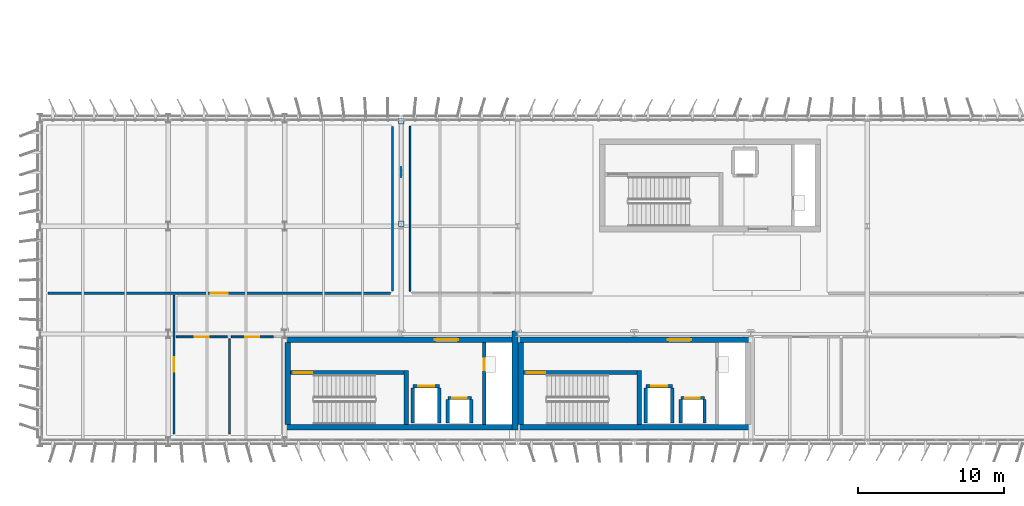
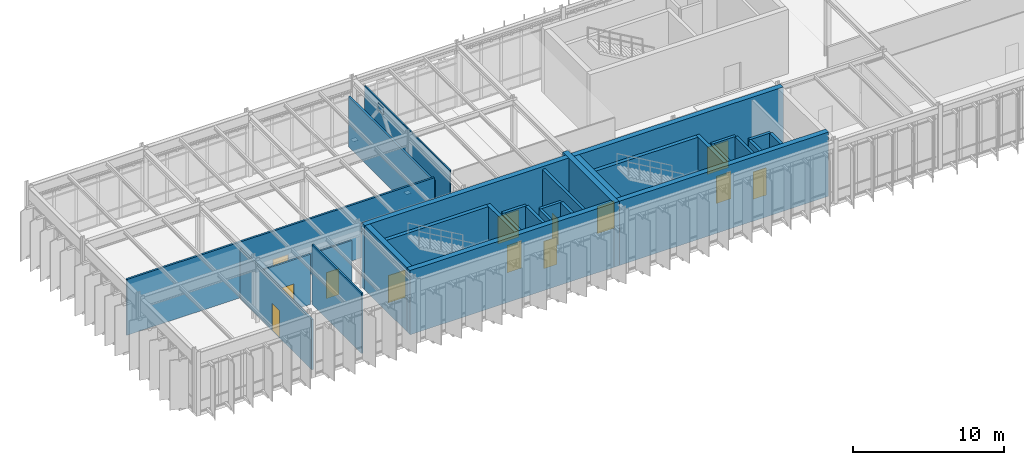
# One storey, part 34 of 48: 31 walls, 13 doors, 3 plates, 13 openings.
"""IFC4 building model written with IfcOpenShell, lengths in metres."""

from ifc_helpers import new_model, si_unit, direction, frame, frame_2d, origin, origin_2d, place, context, subcontext, project, spatial, rectangle, extrude, material, layer, layer_set, type_object, element, fill, save


model = new_model("IFC4")

# Units and contexts
model_context = context("Model", 3, precision=1e-05, world=origin(), true_north=direction((0.0, 1.0)))
body_context = subcontext(model_context, "Body", "Model", "MODEL_VIEW")
ifc_project = project(units=[si_unit("LENGTHUNIT", "METRE"), si_unit("AREAUNIT", "SQUARE_METRE"), si_unit("VOLUMEUNIT", "CUBIC_METRE"), si_unit("PLANEANGLEUNIT", "RADIAN"), si_unit("MASSUNIT", "GRAM", prefix="KILO")], contexts=[model_context])

# Site, building, storey
site_placement = place(None, origin())
site = spatial("IfcSite", under=ifc_project, at=site_placement, CompositionType="ELEMENT")
building_placement = place(site_placement, origin())
building = spatial("IfcBuilding", under=site, at=building_placement, Name="Valkorina Park Police Headquarters", CompositionType="ELEMENT")
storey_placement = place(building_placement, frame((0.0, 0.0, 18.10009765625)))
storey = spatial("IfcBuildingStorey", under=building, at=storey_placement, Name="L05", CompositionType="ELEMENT", Elevation=18.10009765625)

# Plates
ifc_material_1 = material(Name="Steel S355", Category="steel")
ifc_layer_1 = layer(ifc_material_1, 0.02001953125)
ifc_layer_set_1 = layer_set([ifc_layer_1], Name="Steel S355")
plate_type_1 = type_object("IfcPlateType", Name="PL-ENDCAP-20", PredefinedType="USERDEFINED", material=ifc_layer_set_1)
for number, where, z_axis, x_axis, name in (
    (1, (24.800048828125, 51.97998046875, 0.08984375), (0.0, 0.0, 1.0), (1.0, 0.0, 0.0), "Brace Base End Cap Plate 208"),
    (2, (24.800048828125, 59.02001953125, 0.08984375), (0.0, 0.0, 1.0), (1.0, 0.0, 0.0), "Brace Base End Cap Plate 209"),
):
    element("IfcPlate", number, at=place(storey_placement, frame(where, z_axis=z_axis, x_axis=x_axis)), inside=storey, type_object=plate_type_1, Name=name, ObjectType="END CAP PLATE", PredefinedType="USERDEFINED", context=body_context, shape_type="SweptSolid", body=[
        extrude(rectangle(XDim=0.3798828125, YDim=0.3798828125, at=origin_2d()), origin(), (0.0, 0.0, 1.0), 0.02001953125),
    ])
ifc_layer_2 = layer(ifc_material_1, 0.01611328125)
ifc_layer_set_2 = layer_set([ifc_layer_2], Name="Steel S355")
plate_type_2 = type_object("IfcPlateType", Name="PL-GUSSET-16", PredefinedType="USERDEFINED", material=ifc_layer_set_2)
plate_placement = place(storey_placement, frame((24.800048828125, 55.5, 4.48486328125), z_axis=(0.0, 0.0, 1.0), x_axis=(1.0, 0.0, 0.0)))
element("IfcPlate", 3, at=plate_placement, inside=storey, type_object=plate_type_2, Name="Chevron Apex Gusset Plate CBF-10 210", ObjectType="GUSSET PLATE", PredefinedType="USERDEFINED", context=body_context, shape_type="SweptSolid", body=[
    extrude(rectangle(XDim=0.01611328125, YDim=0.699951171875, at=origin_2d()), origin(), (0.0, 0.0, 1.0), 0.550048828125),
])

# Wall, opening, door
ifc_material_2 = material(Name="Acoustic mineral board")
ifc_layer_3 = layer(ifc_material_2, 0.14990234375)
ifc_layer_set_3 = layer_set([ifc_layer_3], Name="Acoustic mineral board")
wall_type_1 = type_object("IfcWallType", Name="WL-ACOUST-150-EI30", PredefinedType="PARTITIONING", material=ifc_layer_set_3)
wall_1_placement = place(storey_placement, frame((0.5400390625, 47.199951171875, 0.0), z_axis=(0.0, 0.0, 1.0), x_axis=(1.0, 0.0, 0.0)))
wall_1 = element("IfcWall", 4, at=wall_1_placement, inside=storey, type_object=wall_type_1, Name="L05 Interior Partition 0225 (L05-CYB-01)", PredefinedType="PARTITIONING", context=body_context, shape_type="SweptSolid", body=[
    extrude(rectangle(XDim=23.52001953125, YDim=0.14990234375, at=frame_2d((11.760009765625, 0.0))), origin(), (0.0, 0.0, 1.0), 4.510009765625),
])
opening_1_placement = place(wall_1_placement, frame((11.159912109375, 0.0, 0.0)))
opening_1 = element("IfcOpeningElement", 5, at=opening_1_placement, cuts=wall_1, Name="Opening ID-06", PredefinedType="OPENING", context=body_context, shape_type="SweptSolid", body=[
    extrude(rectangle(XDim=1.199951171875, YDim=2.199951171875, at=frame_2d((0.60009765625, 1.10009765625))), frame((0.0, 0.0849609375, 0.0), z_axis=(0.0, -1.0, 0.0), x_axis=(1.0, 0.0, 0.0)), (0.0, 0.0, 1.0), 0.169921875),
])
ifc_material_3 = material(Name="Thermally broken aluminium AW-6060", Category="aluminium")
ifc_layer_4 = layer(ifc_material_3, 0.050048828125)
ifc_layer_set_4 = layer_set([ifc_layer_4], Name="Thermally broken aluminium AW-6060")
door_type_1 = type_object("IfcDoorType", Name="DR-INT-LAB-1200x2200", OperationType="NOTDEFINED", PredefinedType="DOOR", material=ifc_layer_set_4)
door_1_placement = place(opening_1_placement, origin())
door_1 = element("IfcDoor", 6, at=door_1_placement, inside=storey, type_object=door_type_1, Name="Door D-L05-I106 (L05-CYB-01)", OperationType="SINGLE_SWING_LEFT", OverallHeight=2.199951171875, OverallWidth=1.199951171875, PredefinedType="DOOR", context=body_context, shape_type="SweptSolid", body=[
    extrude(rectangle(XDim=1.199951171875, YDim=2.199951171875, at=frame_2d((0.60009765625, 1.10009765625))), frame((0.0, 0.02490234375, 0.0), z_axis=(0.0, -1.0, 0.0), x_axis=(1.0, 0.0, 0.0)), (0.0, 0.0, 1.0), 0.050048828125),
])
fill(opening_1, door_1)

# Wall
wall_2_placement = place(storey_placement, frame((24.199951171875, 47.340087890625, 0.0), z_axis=(0.0, 0.0, 1.0), x_axis=(0.0, 1.0, 0.0)))
element("IfcWall", 7, at=wall_2_placement, inside=storey, type_object=wall_type_1, Name="L05 Interior Partition 0226 (L05-CYB-01)", PredefinedType="PARTITIONING", context=body_context, shape_type="SweptSolid", body=[
    extrude(rectangle(XDim=11.31982421875, YDim=0.14990234375, at=frame_2d((5.659912109375, 0.0))), origin(), (0.0, 0.0, 1.0), 4.059814453125),
])

# Wall, opening, door
ifc_material_4 = material(Name="Autoclaved aerated concrete masonry", Category="masonry")
ifc_layer_5 = layer(ifc_material_4, 0.219970703125)
ifc_layer_set_5 = layer_set([ifc_layer_5], Name="Autoclaved aerated concrete masonry")
wall_type_2 = type_object("IfcWallType", Name="WL-CHASE-220-EI60", PredefinedType="PLUMBINGWALL", material=ifc_layer_set_5)
wall_3_placement = place(storey_placement, frame((25.590087890625, 40.81005859375, 0.0), z_axis=(0.0, 0.0, 1.0), x_axis=(1.0, 0.0, 0.0)))
wall_3 = element("IfcWall", 8, at=wall_3_placement, inside=storey, type_object=wall_type_2, Name="Lift LF-01 L05 Shaft Front Wall", PredefinedType="PLUMBINGWALL", context=body_context, shape_type="SweptSolid", body=[
    extrude(rectangle(XDim=1.81982421875, YDim=0.219970703125, at=frame_2d((0.909912109375, 0.0))), origin(), (0.0, 0.0, 1.0), 4.97998046875),
])
opening_2_placement = place(wall_3_placement, frame((0.360107421875, 0.0, 0.0)))
opening_2 = element("IfcOpeningElement", 9, at=opening_2_placement, cuts=wall_3, Name="Opening LD-01", PredefinedType="OPENING", context=body_context, shape_type="SweptSolid", body=[
    extrude(rectangle(XDim=1.10009765625, YDim=2.199951171875, at=frame_2d((0.550048828125, 1.10009765625))), frame((0.0, 0.1201171875, 0.0), z_axis=(0.0, -1.0, 0.0), x_axis=(1.0, 0.0, 0.0)), (0.0, 0.0, 1.0), 0.239990234375),
])
ifc_material_5 = material(Name="Stainless steel EN 1.4404", Category="steel")
ifc_layer_6 = layer(ifc_material_5, 0.050048828125)
ifc_layer_set_6 = layer_set([ifc_layer_6], Name="Stainless steel EN 1.4404")
door_type_2 = type_object("IfcDoorType", Name="DR-LIFT-FF-1100x2200", OperationType="NOTDEFINED", PredefinedType="DOOR", material=ifc_layer_set_6)
door_2_placement = place(opening_2_placement, origin())
door_2 = element("IfcDoor", 10, at=door_2_placement, inside=storey, type_object=door_type_2, Name="Lift Landing Door LF-01-L05", OperationType="DOUBLE_DOOR_SLIDING", OverallHeight=2.199951171875, OverallWidth=1.10009765625, PredefinedType="DOOR", context=body_context, shape_type="SweptSolid", body=[
    extrude(rectangle(XDim=1.10009765625, YDim=2.199951171875, at=frame_2d((0.550048828125, 1.10009765625))), frame((0.0, 0.02490234375, 0.0), z_axis=(0.0, -1.0, 0.0), x_axis=(1.0, 0.0, 0.0)), (0.0, 0.0, 1.0), 0.050048828125),
])
fill(opening_2, door_2)

# Walls
for number, where, z_axis, x_axis, name in (
    (11, (25.590087890625, 38.300048828125, 0.0), (0.0, 0.0, 1.0), (0.0, 1.0, 0.0), "Lift LF-01 L05 Shaft Side Wall W"),
    (12, (27.409912109375, 38.300048828125, 0.0), (0.0, 0.0, 1.0), (0.0, 1.0, 0.0), "Lift LF-01 L05 Shaft Side Wall E"),
):
    element("IfcWall", number, at=place(storey_placement, frame(where, z_axis=z_axis, x_axis=x_axis)), inside=storey, type_object=wall_type_2, Name=name, PredefinedType="PLUMBINGWALL", context=body_context, shape_type="SweptSolid", body=[
        extrude(rectangle(XDim=2.39990234375, YDim=0.219970703125, at=frame_2d((1.199951171875, 0.0))), origin(), (0.0, 0.0, 1.0), 4.97998046875),
    ])

# Wall, opening, door
wall_4_placement = place(storey_placement, frame((27.989990234375, 40.010009765625, 0.0), z_axis=(0.0, 0.0, 1.0), x_axis=(1.0, 0.0, 0.0)))
wall_4 = element("IfcWall", 13, at=wall_4_placement, inside=storey, type_object=wall_type_2, Name="Lift LF-03 L05 Shaft Front Wall", PredefinedType="PLUMBINGWALL", context=body_context, shape_type="SweptSolid", body=[
    extrude(rectangle(XDim=1.6201171875, YDim=0.219970703125, at=frame_2d((0.81005859375, 0.0))), origin(), (0.0, 0.0, 1.0), 4.97998046875),
])
opening_3_placement = place(wall_4_placement, frame((0.31005859375, 0.0, 0.0)))
opening_3 = element("IfcOpeningElement", 14, at=opening_3_placement, cuts=wall_4, Name="Opening LD-02", PredefinedType="OPENING", context=body_context, shape_type="SweptSolid", body=[
    extrude(rectangle(XDim=1.0, YDim=2.199951171875, at=frame_2d((0.5, 1.10009765625))), frame((0.0, 0.1201171875, 0.0), z_axis=(0.0, -1.0, 0.0), x_axis=(1.0, 0.0, 0.0)), (0.0, 0.0, 1.0), 0.239990234375),
])
ifc_layer_7 = layer(ifc_material_5, 0.050048828125)
ifc_layer_set_7 = layer_set([ifc_layer_7], Name="Stainless steel EN 1.4404")
door_type_3 = type_object("IfcDoorType", Name="DR-LIFT-PAX-1000x2200", OperationType="NOTDEFINED", PredefinedType="DOOR", material=ifc_layer_set_7)
door_3_placement = place(opening_3_placement, origin())
door_3 = element("IfcDoor", 15, at=door_3_placement, inside=storey, type_object=door_type_3, Name="Lift Landing Door LF-03-L05", OperationType="DOUBLE_DOOR_SLIDING", OverallHeight=2.199951171875, OverallWidth=1.0, PredefinedType="DOOR", context=body_context, shape_type="SweptSolid", body=[
    extrude(rectangle(XDim=1.0, YDim=2.199951171875, at=frame_2d((0.5, 1.10009765625))), frame((0.0, 0.02490234375, 0.0), z_axis=(0.0, -1.0, 0.0), x_axis=(1.0, 0.0, 0.0)), (0.0, 0.0, 1.0), 0.050048828125),
])
fill(opening_3, door_3)

# Walls
for number, where, z_axis, x_axis, name in (
    (16, (27.989990234375, 38.300048828125, 0.0), (0.0, 0.0, 1.0), (0.0, 1.0, 0.0), "Lift LF-03 L05 Shaft Side Wall W"),
    (17, (29.610107421875, 38.300048828125, 0.0), (0.0, 0.0, 1.0), (0.0, 1.0, 0.0), "Lift LF-03 L05 Shaft Side Wall E"),
):
    element("IfcWall", number, at=place(storey_placement, frame(where, z_axis=z_axis, x_axis=x_axis)), inside=storey, type_object=wall_type_2, Name=name, PredefinedType="PLUMBINGWALL", context=body_context, shape_type="SweptSolid", body=[
        extrude(rectangle(XDim=1.599853515625, YDim=0.219970703125, at=frame_2d((0.7998046875, 0.0))), origin(), (0.0, 0.0, 1.0), 4.97998046875),
    ])

# Wall, opening, door
wall_5_placement = place(storey_placement, frame((30.489990234375, 38.199951171875, 0.0), z_axis=(0.0, 0.0, 1.0), x_axis=(0.0, 1.0, 0.0)))
wall_5 = element("IfcWall", 18, at=wall_5_placement, inside=storey, type_object=wall_type_2, Name="Core C1 L05 Riser Shaft West Wall", PredefinedType="PLUMBINGWALL", context=body_context, shape_type="SweptSolid", body=[
    extrude(rectangle(XDim=5.60009765625, YDim=0.219970703125, at=frame_2d((2.800048828125, 0.0))), origin(), (0.0, 0.0, 1.0), 4.97998046875),
])
opening_4_placement = place(wall_5_placement, frame((3.699951171875, 0.0, 0.0)))
opening_4 = element("IfcOpeningElement", 19, at=opening_4_placement, cuts=wall_5, Name="Opening ID-01", PredefinedType="OPENING", context=body_context, shape_type="SweptSolid", body=[
    extrude(rectangle(XDim=0.800048828125, YDim=2.10009765625, at=frame_2d((0.39990234375, 1.050048828125))), frame((0.0, 0.1201171875, 0.0), z_axis=(0.0, -1.0, 0.0), x_axis=(1.0, 0.0, 0.0)), (0.0, 0.0, 1.0), 0.239990234375),
])
ifc_material_6 = material(Name="Galvanized steel door leaf", Category="steel")
ifc_layer_8 = layer(ifc_material_6, 0.050048828125)
ifc_layer_set_8 = layer_set([ifc_layer_8], Name="Galvanized steel door leaf")
door_type_4 = type_object("IfcDoorType", Name="DR-INT-RISER-800x2100", OperationType="NOTDEFINED", PredefinedType="DOOR", material=ifc_layer_set_8)
door_4_placement = place(opening_4_placement, origin())
door_4 = element("IfcDoor", 20, at=door_4_placement, inside=storey, type_object=door_type_4, Name="Riser Shaft Access Door C1-L05", OperationType="SINGLE_SWING_RIGHT", OverallHeight=2.10009765625, OverallWidth=0.800048828125, PredefinedType="DOOR", context=body_context, shape_type="SweptSolid", body=[
    extrude(rectangle(XDim=0.800048828125, YDim=2.10009765625, at=frame_2d((0.39990234375, 1.050048828125))), frame((0.0, 0.02490234375, 0.0), z_axis=(0.0, -1.0, 0.0), x_axis=(1.0, 0.0, 0.0)), (0.0, 0.0, 1.0), 0.050048828125),
])
fill(opening_4, door_4)

wall_6_placement = place(storey_placement, frame((41.590087890625, 40.81005859375, 0.0), z_axis=(0.0, 0.0, 1.0), x_axis=(1.0, 0.0, 0.0)))
wall_6 = element("IfcWall", 21, at=wall_6_placement, inside=storey, type_object=wall_type_2, Name="Lift LF-02 L05 Shaft Front Wall", PredefinedType="PLUMBINGWALL", context=body_context, shape_type="SweptSolid", body=[
    extrude(rectangle(XDim=1.81982421875, YDim=0.219970703125, at=frame_2d((0.909912109375, 0.0))), origin(), (0.0, 0.0, 1.0), 4.97998046875),
])
opening_5_placement = place(wall_6_placement, frame((0.360107421875, 0.0, 0.0)))
opening_5 = element("IfcOpeningElement", 22, at=opening_5_placement, cuts=wall_6, Name="Opening LD-01", PredefinedType="OPENING", context=body_context, shape_type="SweptSolid", body=[
    extrude(rectangle(XDim=1.10009765625, YDim=2.199951171875, at=frame_2d((0.550048828125, 1.10009765625))), frame((0.0, 0.1201171875, 0.0), z_axis=(0.0, -1.0, 0.0), x_axis=(1.0, 0.0, 0.0)), (0.0, 0.0, 1.0), 0.239990234375),
])
door_5_placement = place(opening_5_placement, origin())
door_5 = element("IfcDoor", 23, at=door_5_placement, inside=storey, type_object=door_type_2, Name="Lift Landing Door LF-02-L05", OperationType="DOUBLE_DOOR_SLIDING", OverallHeight=2.199951171875, OverallWidth=1.10009765625, PredefinedType="DOOR", context=body_context, shape_type="SweptSolid", body=[
    extrude(rectangle(XDim=1.10009765625, YDim=2.199951171875, at=frame_2d((0.550048828125, 1.10009765625))), frame((0.0, 0.02490234375, 0.0), z_axis=(0.0, -1.0, 0.0), x_axis=(1.0, 0.0, 0.0)), (0.0, 0.0, 1.0), 0.050048828125),
])
fill(opening_5, door_5)

# Walls
for number, where, z_axis, x_axis, name in (
    (24, (41.590087890625, 38.300048828125, 0.0), (0.0, 0.0, 1.0), (0.0, 1.0, 0.0), "Lift LF-02 L05 Shaft Side Wall W"),
    (25, (43.409912109375, 38.300048828125, 0.0), (0.0, 0.0, 1.0), (0.0, 1.0, 0.0), "Lift LF-02 L05 Shaft Side Wall E"),
):
    element("IfcWall", number, at=place(storey_placement, frame(where, z_axis=z_axis, x_axis=x_axis)), inside=storey, type_object=wall_type_2, Name=name, PredefinedType="PLUMBINGWALL", context=body_context, shape_type="SweptSolid", body=[
        extrude(rectangle(XDim=2.39990234375, YDim=0.219970703125, at=frame_2d((1.199951171875, 0.0))), origin(), (0.0, 0.0, 1.0), 4.97998046875),
    ])

# Wall, opening, door
wall_7_placement = place(storey_placement, frame((43.989990234375, 40.010009765625, 0.0), z_axis=(0.0, 0.0, 1.0), x_axis=(1.0, 0.0, 0.0)))
wall_7 = element("IfcWall", 26, at=wall_7_placement, inside=storey, type_object=wall_type_2, Name="Lift LF-04 L05 Shaft Front Wall", PredefinedType="PLUMBINGWALL", context=body_context, shape_type="SweptSolid", body=[
    extrude(rectangle(XDim=1.6201171875, YDim=0.219970703125, at=frame_2d((0.81005859375, 0.0))), origin(), (0.0, 0.0, 1.0), 4.97998046875),
])
opening_6_placement = place(wall_7_placement, frame((0.31005859375, 0.0, 0.0)))
opening_6 = element("IfcOpeningElement", 27, at=opening_6_placement, cuts=wall_7, Name="Opening LD-02", PredefinedType="OPENING", context=body_context, shape_type="SweptSolid", body=[
    extrude(rectangle(XDim=1.0, YDim=2.199951171875, at=frame_2d((0.5, 1.10009765625))), frame((0.0, 0.1201171875, 0.0), z_axis=(0.0, -1.0, 0.0), x_axis=(1.0, 0.0, 0.0)), (0.0, 0.0, 1.0), 0.239990234375),
])
door_6_placement = place(opening_6_placement, origin())
door_6 = element("IfcDoor", 28, at=door_6_placement, inside=storey, type_object=door_type_3, Name="Lift Landing Door LF-04-L05", OperationType="DOUBLE_DOOR_SLIDING", OverallHeight=2.199951171875, OverallWidth=1.0, PredefinedType="DOOR", context=body_context, shape_type="SweptSolid", body=[
    extrude(rectangle(XDim=1.0, YDim=2.199951171875, at=frame_2d((0.5, 1.10009765625))), frame((0.0, 0.02490234375, 0.0), z_axis=(0.0, -1.0, 0.0), x_axis=(1.0, 0.0, 0.0)), (0.0, 0.0, 1.0), 0.050048828125),
])
fill(opening_6, door_6)

# Walls
for number, where, z_axis, x_axis, name in (
    (29, (43.989990234375, 38.300048828125, 0.0), (0.0, 0.0, 1.0), (0.0, 1.0, 0.0), "Lift LF-04 L05 Shaft Side Wall W"),
    (30, (45.610107421875, 38.300048828125, 0.0), (0.0, 0.0, 1.0), (0.0, 1.0, 0.0), "Lift LF-04 L05 Shaft Side Wall E"),
):
    element("IfcWall", number, at=place(storey_placement, frame(where, z_axis=z_axis, x_axis=x_axis)), inside=storey, type_object=wall_type_2, Name=name, PredefinedType="PLUMBINGWALL", context=body_context, shape_type="SweptSolid", body=[
        extrude(rectangle(XDim=1.599853515625, YDim=0.219970703125, at=frame_2d((0.7998046875, 0.0))), origin(), (0.0, 0.0, 1.0), 4.97998046875),
    ])
ifc_material_7 = material(Name="Concrete C40/50", Category="concrete")
ifc_layer_9 = layer(ifc_material_7, 0.39990234375)
ifc_layer_set_9 = layer_set([ifc_layer_9], Name="Concrete C40/50")
wall_type_3 = type_object("IfcWallType", Name="WL-CORE-400-REI180", PredefinedType="SHEAR", material=ifc_layer_set_9)
wall_8_placement = place(storey_placement, frame((16.800048828125, 38.0, 0.0), z_axis=(0.0, 0.0, 1.0), x_axis=(1.0, 0.0, 0.0)))
element("IfcWall", 31, at=wall_8_placement, inside=storey, type_object=wall_type_3, Name="Core C1 L05 Shear Wall S", PredefinedType="SHEAR", context=body_context, shape_type="SweptSolid", body=[
    extrude(rectangle(XDim=16.39990234375, YDim=0.39990234375, at=frame_2d((8.199951171875, 0.0))), origin(), (0.0, 0.0, 1.0), 5.19482421875),
])

# Wall, opening, door
wall_9_placement = place(storey_placement, frame((16.800048828125, 44.0, 0.0), z_axis=(0.0, 0.0, 1.0), x_axis=(1.0, 0.0, 0.0)))
wall_9 = element("IfcWall", 32, at=wall_9_placement, inside=storey, type_object=wall_type_3, Name="Core C1 L05 Shear Wall N", PredefinedType="SHEAR", context=body_context, shape_type="SweptSolid", body=[
    extrude(rectangle(XDim=16.39990234375, YDim=0.39990234375, at=frame_2d((8.199951171875, 0.0))), origin(), (0.0, 0.0, 1.0), 5.19482421875),
])
opening_7_placement = place(wall_9_placement, frame((10.300048828125, 0.0, 0.0)))
opening_7 = element("IfcOpeningElement", 33, at=opening_7_placement, cuts=wall_9, Name="Opening FD-04", PredefinedType="OPENING", context=body_context, shape_type="SweptSolid", body=[
    extrude(rectangle(XDim=1.60009765625, YDim=2.199951171875, at=frame_2d((0.800048828125, 1.10009765625))), frame((0.0, 0.2099609375, 0.0), z_axis=(0.0, -1.0, 0.0), x_axis=(1.0, 0.0, 0.0)), (0.0, 0.0, 1.0), 0.419921875),
])
ifc_layer_10 = layer(ifc_material_6, 0.050048828125)
ifc_layer_set_10 = layer_set([ifc_layer_10], Name="Galvanized steel door leaf")
door_type_5 = type_object("IfcDoorType", Name="DR-FIRE-FFL-1600x2200", OperationType="NOTDEFINED", PredefinedType="DOOR", material=ifc_layer_set_10)
door_7_placement = place(opening_7_placement, origin())
door_7 = element("IfcDoor", 34, at=door_7_placement, inside=storey, type_object=door_type_5, Name="Door D-L05-FFL-C1 (Firefighting Lift Lobby Door)", OperationType="DOUBLE_DOOR_SINGLE_SWING", OverallHeight=2.199951171875, OverallWidth=1.60009765625, PredefinedType="DOOR", context=body_context, shape_type="SweptSolid", body=[
    extrude(rectangle(XDim=1.60009765625, YDim=2.199951171875, at=frame_2d((0.800048828125, 1.10009765625))), frame((0.0, 0.02490234375, 0.0), z_axis=(0.0, -1.0, 0.0), x_axis=(1.0, 0.0, 0.0)), (0.0, 0.0, 1.0), 0.050048828125),
])
fill(opening_7, door_7)

# Walls
wall_10_placement = place(storey_placement, frame((17.0, 38.199951171875, 0.0), z_axis=(0.0, 0.0, 1.0), x_axis=(0.0, 1.0, 0.0)))
element("IfcWall", 35, at=wall_10_placement, inside=storey, type_object=wall_type_3, Name="Core C1 L05 Shear Wall W", PredefinedType="SHEAR", context=body_context, shape_type="SweptSolid", body=[
    extrude(rectangle(XDim=5.60009765625, YDim=0.39990234375, at=frame_2d((2.800048828125, 0.0))), origin(), (0.0, 0.0, 1.0), 5.19482421875),
])
wall_11_placement = place(storey_placement, frame((32.60009765625, 37.800048828125, 0.0), z_axis=(0.0, 0.0, 1.0), x_axis=(0.0, 1.0, 0.0)))
element("IfcWall", 36, at=wall_11_placement, inside=storey, type_object=wall_type_3, Name="Core C1 L05 Shear Wall E", PredefinedType="SHEAR", context=body_context, shape_type="SweptSolid", body=[
    extrude(rectangle(XDim=6.800048828125, YDim=0.39990234375, at=frame_2d((3.39990234375, 0.0))), origin(), (0.0, 0.0, 1.0), 5.19482421875),
])
wall_12_placement = place(storey_placement, frame((32.800048828125, 38.0, 0.0), z_axis=(0.0, 0.0, 1.0), x_axis=(1.0, 0.0, 0.0)))
element("IfcWall", 37, at=wall_12_placement, inside=storey, type_object=wall_type_3, Name="Core C2 L05 Shear Wall S", PredefinedType="SHEAR", context=body_context, shape_type="SweptSolid", body=[
    extrude(rectangle(XDim=16.0, YDim=0.39990234375, at=frame_2d((8.0, 0.0))), origin(), (0.0, 0.0, 1.0), 5.19482421875),
])

# Wall, opening, door
wall_13_placement = place(storey_placement, frame((32.800048828125, 44.0, 0.0), z_axis=(0.0, 0.0, 1.0), x_axis=(1.0, 0.0, 0.0)))
wall_13 = element("IfcWall", 38, at=wall_13_placement, inside=storey, type_object=wall_type_3, Name="Core C2 L05 Shear Wall N", PredefinedType="SHEAR", context=body_context, shape_type="SweptSolid", body=[
    extrude(rectangle(XDim=16.0, YDim=0.39990234375, at=frame_2d((8.0, 0.0))), origin(), (0.0, 0.0, 1.0), 5.19482421875),
])
opening_8_placement = place(wall_13_placement, frame((10.300048828125, 0.0, 0.0)))
opening_8 = element("IfcOpeningElement", 39, at=opening_8_placement, cuts=wall_13, Name="Opening FD-04", PredefinedType="OPENING", context=body_context, shape_type="SweptSolid", body=[
    extrude(rectangle(XDim=1.60009765625, YDim=2.199951171875, at=frame_2d((0.800048828125, 1.10009765625))), frame((0.0, 0.2099609375, 0.0), z_axis=(0.0, -1.0, 0.0), x_axis=(1.0, 0.0, 0.0)), (0.0, 0.0, 1.0), 0.419921875),
])
door_8_placement = place(opening_8_placement, origin())
door_8 = element("IfcDoor", 40, at=door_8_placement, inside=storey, type_object=door_type_5, Name="Door D-L05-FFL-C2 (Firefighting Lift Lobby Door)", OperationType="DOUBLE_DOOR_SINGLE_SWING", OverallHeight=2.199951171875, OverallWidth=1.60009765625, PredefinedType="DOOR", context=body_context, shape_type="SweptSolid", body=[
    extrude(rectangle(XDim=1.60009765625, YDim=2.199951171875, at=frame_2d((0.800048828125, 1.10009765625))), frame((0.0, 0.02490234375, 0.0), z_axis=(0.0, -1.0, 0.0), x_axis=(1.0, 0.0, 0.0)), (0.0, 0.0, 1.0), 0.050048828125),
])
fill(opening_8, door_8)

# Walls
wall_14_placement = place(storey_placement, frame((33.0, 38.199951171875, 0.0), z_axis=(0.0, 0.0, 1.0), x_axis=(0.0, 1.0, 0.0)))
element("IfcWall", 41, at=wall_14_placement, inside=storey, type_object=wall_type_3, Name="Core C2 L05 Shear Wall W", PredefinedType="SHEAR", context=body_context, shape_type="SweptSolid", body=[
    extrude(rectangle(XDim=5.60009765625, YDim=0.39990234375, at=frame_2d((2.800048828125, 0.0))), origin(), (0.0, 0.0, 1.0), 5.19482421875),
])
ifc_material_8 = material(Name="Gypsum plasterboard")
ifc_layer_11 = layer(ifc_material_8, 0.10009765625)
ifc_layer_set_11 = layer_set([ifc_layer_11], Name="Gypsum plasterboard")
wall_type_4 = type_object("IfcWallType", Name="WL-PART-100", PredefinedType="PARTITIONING", material=ifc_layer_set_11)
wall_15_placement = place(storey_placement, frame((25.39990234375, 47.340087890625, 0.0), z_axis=(0.0, 0.0, 1.0), x_axis=(0.0, 1.0, 0.0)))
element("IfcWall", 42, at=wall_15_placement, inside=storey, type_object=wall_type_4, Name="L05 Interior Partition 0234 (L05-CYB-03)", PredefinedType="PARTITIONING", context=body_context, shape_type="SweptSolid", body=[
    extrude(rectangle(XDim=11.31982421875, YDim=0.10009765625, at=frame_2d((5.659912109375, 0.0))), origin(), (0.0, 0.0, 1.0), 4.510009765625),
])

# Wall, opening, door
ifc_layer_12 = layer(ifc_material_8, 0.125)
ifc_layer_set_12 = layer_set([ifc_layer_12], Name="Gypsum plasterboard")
wall_type_5 = type_object("IfcWallType", Name="WL-PART-125-EI30", PredefinedType="PARTITIONING", material=ifc_layer_set_12)
wall_16_placement = place(storey_placement, frame((9.199951171875, 37.5400390625, 0.0), z_axis=(0.0, 0.0, 1.0), x_axis=(0.0, 1.0, 0.0)))
wall_16 = element("IfcWall", 43, at=wall_16_placement, inside=storey, type_object=wall_type_5, Name="L05 Interior Partition 0227 (L05-CYB-02)", PredefinedType="PARTITIONING", context=body_context, shape_type="SweptSolid", body=[
    extrude(rectangle(XDim=9.52001953125, YDim=0.125, at=frame_2d((4.760009765625, 0.0))), origin(), (0.0, 0.0, 1.0), 4.059814453125),
])
opening_9_placement = place(wall_16_placement, frame((4.260009765625, 0.0, 0.0)))
opening_9 = element("IfcOpeningElement", 44, at=opening_9_placement, cuts=wall_16, Name="Opening ID-04", PredefinedType="OPENING", context=body_context, shape_type="SweptSolid", body=[
    extrude(rectangle(XDim=1.0, YDim=2.199951171875, at=frame_2d((0.5, 1.10009765625))), frame((0.0, 0.072509765625, 0.0), z_axis=(0.0, -1.0, 0.0), x_axis=(1.0, 0.0, 0.0)), (0.0, 0.0, 1.0), 0.14501953125),
])
ifc_layer_13 = layer(ifc_material_3, 0.050048828125)
ifc_layer_set_13 = layer_set([ifc_layer_13], Name="Thermally broken aluminium AW-6060")
door_type_6 = type_object("IfcDoorType", Name="DR-INT-OFF-1000x2200", OperationType="NOTDEFINED", PredefinedType="DOOR", material=ifc_layer_set_13)
door_9_placement = place(opening_9_placement, origin())
door_9 = element("IfcDoor", 45, at=door_9_placement, inside=storey, type_object=door_type_6, Name="Door D-L05-I107 (L05-CYB-02)", OperationType="SINGLE_SWING_RIGHT", OverallHeight=2.199951171875, OverallWidth=1.0, PredefinedType="DOOR", context=body_context, shape_type="SweptSolid", body=[
    extrude(rectangle(XDim=1.0, YDim=2.199951171875, at=frame_2d((0.5, 1.10009765625))), frame((0.0, 0.02490234375, 0.0), z_axis=(0.0, -1.0, 0.0), x_axis=(1.0, 0.0, 0.0)), (0.0, 0.0, 1.0), 0.050048828125),
])
fill(opening_9, door_9)

wall_17_placement = place(storey_placement, frame((9.340087890625, 44.199951171875, 0.0), z_axis=(0.0, 0.0, 1.0), x_axis=(1.0, 0.0, 0.0)))
wall_17 = element("IfcWall", 46, at=wall_17_placement, inside=storey, type_object=wall_type_5, Name="L05 Interior Partition 0228 (L05-WC-M)", PredefinedType="PARTITIONING", context=body_context, shape_type="SweptSolid", body=[
    extrude(rectangle(XDim=3.52001953125, YDim=0.125, at=frame_2d((1.760009765625, 0.0))), origin(), (0.0, 0.0, 1.0), 4.059814453125),
])
opening_10_placement = place(wall_17_placement, frame((1.284912109375, 0.0, 0.0)))
opening_10 = element("IfcOpeningElement", 47, at=opening_10_placement, cuts=wall_17, Name="Opening ID-02", PredefinedType="OPENING", context=body_context, shape_type="SweptSolid", body=[
    extrude(rectangle(XDim=0.949951171875, YDim=2.10009765625, at=frame_2d((0.47509765625, 1.050048828125))), frame((0.0, 0.072509765625, 0.0), z_axis=(0.0, -1.0, 0.0), x_axis=(1.0, 0.0, 0.0)), (0.0, 0.0, 1.0), 0.14501953125),
])
ifc_layer_14 = layer(ifc_material_3, 0.050048828125)
ifc_layer_set_14 = layer_set([ifc_layer_14], Name="Thermally broken aluminium AW-6060")
door_type_7 = type_object("IfcDoorType", Name="DR-INT-WC-950x2100", OperationType="NOTDEFINED", PredefinedType="DOOR", material=ifc_layer_set_14)
door_10_placement = place(opening_10_placement, origin())
door_10 = element("IfcDoor", 48, at=door_10_placement, inside=storey, type_object=door_type_7, Name="Door D-L05-I108 (L05-WC-M)", OperationType="SINGLE_SWING_LEFT", OverallHeight=2.10009765625, OverallWidth=0.949951171875, PredefinedType="DOOR", context=body_context, shape_type="SweptSolid", body=[
    extrude(rectangle(XDim=0.949951171875, YDim=2.10009765625, at=frame_2d((0.47509765625, 1.050048828125))), frame((0.0, 0.02490234375, 0.0), z_axis=(0.0, -1.0, 0.0), x_axis=(1.0, 0.0, 0.0)), (0.0, 0.0, 1.0), 0.050048828125),
])
fill(opening_10, door_10)

# Wall
wall_18_placement = place(storey_placement, frame((13.0, 37.5400390625, 0.0), z_axis=(0.0, 0.0, 1.0), x_axis=(0.0, 1.0, 0.0)))
element("IfcWall", 49, at=wall_18_placement, inside=storey, type_object=wall_type_5, Name="L05 Interior Partition 0229 (L05-WC-M)", PredefinedType="PARTITIONING", context=body_context, shape_type="SweptSolid", body=[
    extrude(rectangle(XDim=6.52001953125, YDim=0.125, at=frame_2d((3.260009765625, 0.0))), origin(), (0.0, 0.0, 1.0), 4.869873046875),
])

# Wall, opening, door
wall_19_placement = place(storey_placement, frame((13.139892578125, 44.199951171875, 0.0), z_axis=(0.0, 0.0, 1.0), x_axis=(1.0, 0.0, 0.0)))
wall_19 = element("IfcWall", 50, at=wall_19_placement, inside=storey, type_object=wall_type_5, Name="L05 Interior Partition 0230 (L05-WC-F)", PredefinedType="PARTITIONING", context=body_context, shape_type="SweptSolid", body=[
    extrude(rectangle(XDim=2.8701171875, YDim=0.125, at=frame_2d((1.43505859375, 0.0))), origin(), (0.0, 0.0, 1.0), 4.059814453125),
])
opening_11_placement = place(wall_19_placement, frame((0.9599609375, 0.0, 0.0)))
opening_11 = element("IfcOpeningElement", 51, at=opening_11_placement, cuts=wall_19, Name="Opening ID-02", PredefinedType="OPENING", context=body_context, shape_type="SweptSolid", body=[
    extrude(rectangle(XDim=0.949951171875, YDim=2.10009765625, at=frame_2d((0.47509765625, 1.050048828125))), frame((0.0, 0.072509765625, 0.0), z_axis=(0.0, -1.0, 0.0), x_axis=(1.0, 0.0, 0.0)), (0.0, 0.0, 1.0), 0.14501953125),
])
door_11_placement = place(opening_11_placement, origin())
door_11 = element("IfcDoor", 52, at=door_11_placement, inside=storey, type_object=door_type_7, Name="Door D-L05-I109 (L05-WC-F)", OperationType="SINGLE_SWING_RIGHT", OverallHeight=2.10009765625, OverallWidth=0.949951171875, PredefinedType="DOOR", context=body_context, shape_type="SweptSolid", body=[
    extrude(rectangle(XDim=0.949951171875, YDim=2.10009765625, at=frame_2d((0.47509765625, 1.050048828125))), frame((0.0, 0.02490234375, 0.0), z_axis=(0.0, -1.0, 0.0), x_axis=(1.0, 0.0, 0.0)), (0.0, 0.0, 1.0), 0.050048828125),
])
fill(opening_11, door_11)

# Wall
ifc_layer_15 = layer(ifc_material_7, 0.280029296875)
ifc_layer_set_15 = layer_set([ifc_layer_15], Name="Concrete C40/50")
wall_type_6 = type_object("IfcWallType", Name="WL-STAIR-280-REI120", PredefinedType="SHEAR", material=ifc_layer_set_15)
wall_20_placement = place(storey_placement, frame((25.139892578125, 38.199951171875, 0.0), z_axis=(0.0, 0.0, 1.0), x_axis=(0.0, 1.0, 0.0)))
element("IfcWall", 53, at=wall_20_placement, inside=storey, type_object=wall_type_6, Name="Core C1 L05 Shear Wall DIV", PredefinedType="SHEAR", context=body_context, shape_type="SweptSolid", body=[
    extrude(rectangle(XDim=3.679931640625, YDim=0.280029296875, at=frame_2d((1.83984375, 0.0))), origin(), (0.0, 0.0, 1.0), 5.19482421875),
])

# Wall, opening, door
wall_21_placement = place(storey_placement, frame((17.199951171875, 41.739990234375, 0.0), z_axis=(0.0, 0.0, 1.0), x_axis=(1.0, 0.0, 0.0)))
wall_21 = element("IfcWall", 54, at=wall_21_placement, inside=storey, type_object=wall_type_6, Name="Core C1 L05 Shear Wall SIDE", PredefinedType="SHEAR", context=body_context, shape_type="SweptSolid", body=[
    extrude(rectangle(XDim=7.800048828125, YDim=0.280029296875, at=frame_2d((3.89990234375, 0.0))), origin(), (0.0, 0.0, 1.0), 5.19482421875),
])
opening_12_placement = place(wall_21_placement, frame((0.199951171875, 0.0, 0.0)))
opening_12 = element("IfcOpeningElement", 55, at=opening_12_placement, cuts=wall_21, Name="Opening FD-03", PredefinedType="OPENING", context=body_context, shape_type="SweptSolid", body=[
    extrude(rectangle(XDim=1.300048828125, YDim=2.199951171875, at=frame_2d((0.64990234375, 1.10009765625))), frame((0.0, 0.14990234375, 0.0), z_axis=(0.0, -1.0, 0.0), x_axis=(1.0, 0.0, 0.0)), (0.0, 0.0, 1.0), 0.300048828125),
])
ifc_layer_16 = layer(ifc_material_6, 0.050048828125)
ifc_layer_set_16 = layer_set([ifc_layer_16], Name="Galvanized steel door leaf")
door_type_8 = type_object("IfcDoorType", Name="DR-FIRE-STAIR-1300x2200", OperationType="NOTDEFINED", PredefinedType="DOOR", material=ifc_layer_set_16)
door_12_placement = place(opening_12_placement, origin())
door_12 = element("IfcDoor", 56, at=door_12_placement, inside=storey, type_object=door_type_8, Name="Door D-L05-C026 (ST-01 Stair Fire Door)", OperationType="SINGLE_SWING_LEFT", OverallHeight=2.199951171875, OverallWidth=1.300048828125, PredefinedType="DOOR", context=body_context, shape_type="SweptSolid", body=[
    extrude(rectangle(XDim=1.300048828125, YDim=2.199951171875, at=frame_2d((0.64990234375, 1.10009765625))), frame((0.0, 0.02490234375, 0.0), z_axis=(0.0, -1.0, 0.0), x_axis=(1.0, 0.0, 0.0)), (0.0, 0.0, 1.0), 0.050048828125),
])
fill(opening_12, door_12)

# Wall
wall_22_placement = place(storey_placement, frame((41.139892578125, 38.199951171875, 0.0), z_axis=(0.0, 0.0, 1.0), x_axis=(0.0, 1.0, 0.0)))
element("IfcWall", 57, at=wall_22_placement, inside=storey, type_object=wall_type_6, Name="Core C2 L05 Shear Wall DIV", PredefinedType="SHEAR", context=body_context, shape_type="SweptSolid", body=[
    extrude(rectangle(XDim=3.679931640625, YDim=0.280029296875, at=frame_2d((1.83984375, 0.0))), origin(), (0.0, 0.0, 1.0), 5.19482421875),
])

# Wall, opening, door
wall_23_placement = place(storey_placement, frame((33.199951171875, 41.739990234375, 0.0), z_axis=(0.0, 0.0, 1.0), x_axis=(1.0, 0.0, 0.0)))
wall_23 = element("IfcWall", 58, at=wall_23_placement, inside=storey, type_object=wall_type_6, Name="Core C2 L05 Shear Wall SIDE", PredefinedType="SHEAR", context=body_context, shape_type="SweptSolid", body=[
    extrude(rectangle(XDim=7.800048828125, YDim=0.280029296875, at=frame_2d((3.89990234375, 0.0))), origin(), (0.0, 0.0, 1.0), 5.19482421875),
])
opening_13_placement = place(wall_23_placement, frame((0.199951171875, 0.0, 0.0)))
opening_13 = element("IfcOpeningElement", 59, at=opening_13_placement, cuts=wall_23, Name="Opening FD-03", PredefinedType="OPENING", context=body_context, shape_type="SweptSolid", body=[
    extrude(rectangle(XDim=1.300048828125, YDim=2.199951171875, at=frame_2d((0.64990234375, 1.10009765625))), frame((0.0, 0.14990234375, 0.0), z_axis=(0.0, -1.0, 0.0), x_axis=(1.0, 0.0, 0.0)), (0.0, 0.0, 1.0), 0.300048828125),
])
door_13_placement = place(opening_13_placement, origin())
door_13 = element("IfcDoor", 60, at=door_13_placement, inside=storey, type_object=door_type_8, Name="Door D-L05-C071 (ST-02 Stair Fire Door)", OperationType="SINGLE_SWING_RIGHT", OverallHeight=2.199951171875, OverallWidth=1.300048828125, PredefinedType="DOOR", context=body_context, shape_type="SweptSolid", body=[
    extrude(rectangle(XDim=1.300048828125, YDim=2.199951171875, at=frame_2d((0.64990234375, 1.10009765625))), frame((0.0, 0.02490234375, 0.0), z_axis=(0.0, -1.0, 0.0), x_axis=(1.0, 0.0, 0.0)), (0.0, 0.0, 1.0), 0.050048828125),
])
fill(opening_13, door_13)

save(model, "model.ifc")
